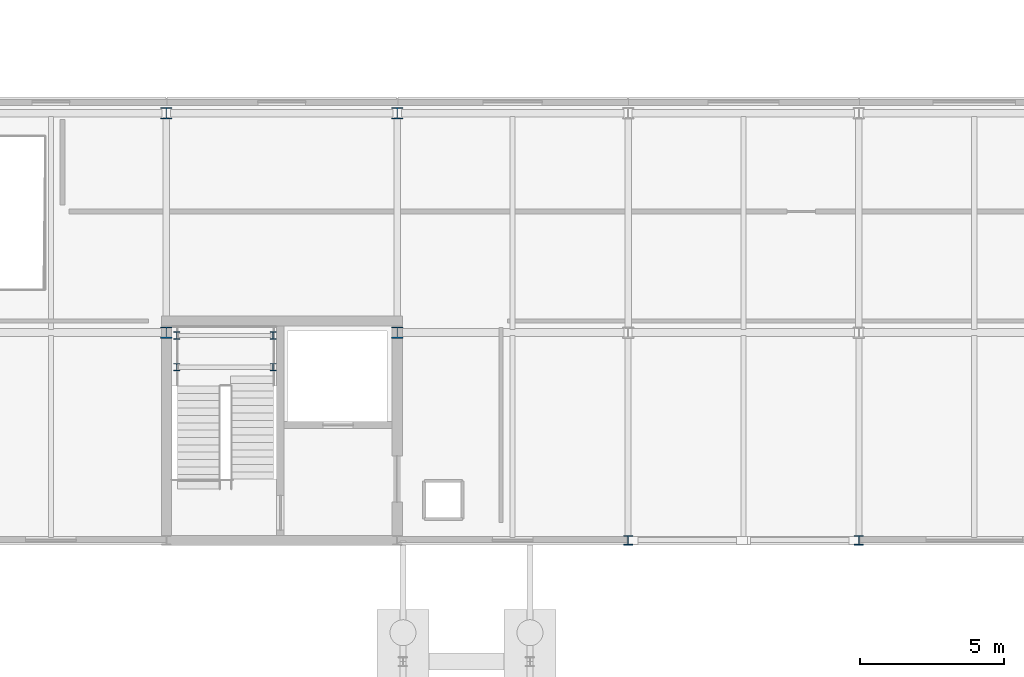
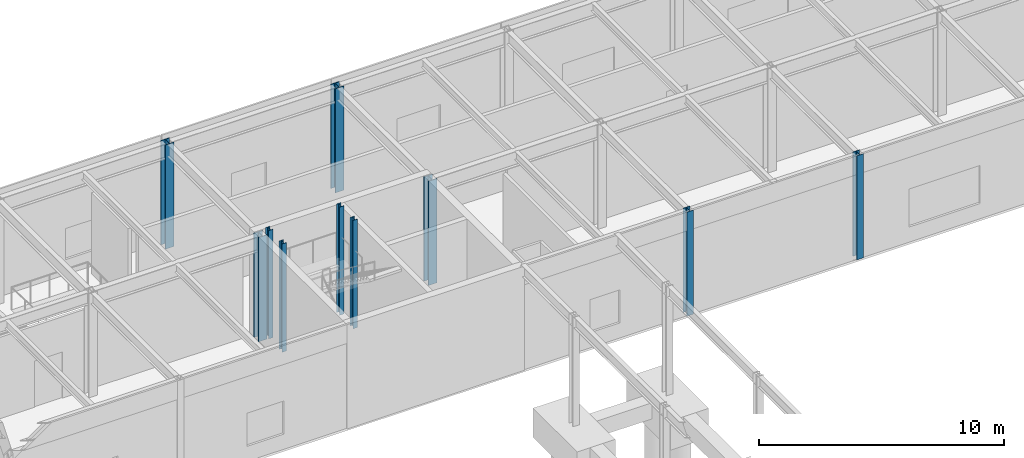
# One storey, part 13 of 62: 10 columns.
"""IFC4 building model written with IfcOpenShell, lengths in metres."""

from ifc_helpers import new_model, si_unit, direction, frame, origin, origin_2d, place, context, subcontext, project, spatial, i_section, extrude, material, material_profile, profile_set, type_object, element, save


model = new_model("IFC4")

# Units and contexts
model_context = context("Model", 3, precision=1e-05, world=origin(), true_north=direction((0.0, 1.0)))
body_context = subcontext(model_context, "Body", "Model", "MODEL_VIEW")
ifc_project = project(units=[si_unit("LENGTHUNIT", "METRE"), si_unit("AREAUNIT", "SQUARE_METRE"), si_unit("VOLUMEUNIT", "CUBIC_METRE"), si_unit("PLANEANGLEUNIT", "RADIAN"), si_unit("MASSUNIT", "GRAM", prefix="KILO")], contexts=[model_context])

# Site, building, storey
site_placement = place(None, origin())
site = spatial("IfcSite", under=ifc_project, at=site_placement, CompositionType="ELEMENT")
building_placement = place(site_placement, origin())
building = spatial("IfcBuilding", under=site, at=building_placement, Name="Zulena Civic Courthouse", CompositionType="ELEMENT")
storey_placement = place(building_placement, origin())
storey = spatial("IfcBuildingStorey", under=building, at=storey_placement, Name="L00", CompositionType="ELEMENT", Elevation=0.0)

# Columns
ifc_material = material(Name="Steel ASTM A992 Grade 50", Category="steel")
ifc_material_profile_1 = material_profile(ifc_material, i_section(OverallWidth=0.2041015625, OverallDepth=0.257080078125, WebThickness=0.0087890625, FlangeThickness=0.015625, FilletRadius=0.0126953125, at=origin_2d()), Name="W10X45")
ifc_profile_set_1 = profile_set([ifc_material_profile_1], Name="Steel ASTM A992 Grade 50")
column_type_1 = type_object("IfcColumnType", Name="Col_W10X45", PredefinedType="COLUMN", material=ifc_profile_set_1)
for number, where, z_axis, x_axis, name in (
    (1, (20.360107421875, 52.0, 0.0), (0.0, 0.0, 1.0), (1.0, 0.0, 0.0), "col:lnd:K5A:L00:0:0"),
    (2, (23.699951171875, 52.0, 0.0), (0.0, 0.0, 1.0), (1.0, 0.0, 0.0), "col:lnd:K5A:L00:0:1"),
    (3, (20.360107421875, 53.10009765625, 0.0), (0.0, 0.0, 1.0), (1.0, 0.0, 0.0), "col:lnd:K5A:L00:1:0"),
    (4, (23.699951171875, 53.10009765625, 0.0), (0.0, 0.0, 1.0), (1.0, 0.0, 0.0), "col:lnd:K5A:L00:1:1"),
):
    element("IfcColumn", number, at=place(storey_placement, frame(where, z_axis=z_axis, x_axis=x_axis)), inside=storey, type_object=column_type_1, Name=name, PredefinedType="COLUMN", context=body_context, shape_type="SweptSolid", body=[
        extrude(i_section(OverallWidth=0.2041015625, OverallDepth=0.257080078125, WebThickness=0.0087890625, FlangeThickness=0.015625, FilletRadius=0.0126953125, at=origin_2d()), origin(), (0.0, 0.0, 1.0), 5.39501953125),
    ])
ifc_material_profile_2 = material_profile(ifc_material, i_section(OverallWidth=0.31298828125, OverallDepth=0.3330078125, WebThickness=0.01806640625, FlangeThickness=0.0283203125, FilletRadius=0.01513671875, at=origin_2d()), Name="W12X120")
ifc_profile_set_2 = profile_set([ifc_material_profile_2], Name="Steel ASTM A992 Grade 50")
column_type_2 = type_object("IfcColumnType", Name="Col_W12X120", PredefinedType="COLUMN", material=ifc_profile_set_2)
for number, where, z_axis, x_axis, name in (
    (5, (36.0, 46.0, 0.0), (0.0, 0.0, 1.0), (1.0, 0.0, 0.0), "col:V5:L00:36.0:46.0"),
    (6, (44.0, 46.0, 0.0), (0.0, 0.0, 1.0), (1.0, 0.0, 0.0), "col:V5:L00:44.0:46.0"),
):
    element("IfcColumn", number, at=place(storey_placement, frame(where, z_axis=z_axis, x_axis=x_axis)), inside=storey, type_object=column_type_2, Name=name, PredefinedType="COLUMN", context=body_context, shape_type="SweptSolid", body=[
        extrude(i_section(OverallWidth=0.31298828125, OverallDepth=0.3330078125, WebThickness=0.01806640625, FlangeThickness=0.0283203125, FilletRadius=0.01513671875, at=origin_2d()), origin(), (0.0, 0.0, 1.0), 5.18505859375),
    ])
ifc_material_profile_3 = material_profile(ifc_material, i_section(OverallWidth=0.40087890625, OverallDepth=0.39892578125, WebThickness=0.02490234375, FlangeThickness=0.03955078125, FilletRadius=0.01513671875, at=origin_2d()), Name="W14X211")
ifc_profile_set_3 = profile_set([ifc_material_profile_3], Name="Steel ASTM A992 Grade 50")
column_type_3 = type_object("IfcColumnType", Name="Col_W14X211", PredefinedType="COLUMN", material=ifc_profile_set_3)
for number, where, z_axis, x_axis, name in (
    (7, (20.0, 53.199951171875, 0.0), (0.0, 0.0, 1.0), (1.0, 0.0, 0.0), "col:V5:L00:20.0:53.2"),
    (8, (20.0, 60.800048828125, 0.0), (0.0, 0.0, 1.0), (1.0, 0.0, 0.0), "col:V5:L00:20.0:60.8"),
    (9, (28.0, 53.199951171875, 0.0), (0.0, 0.0, 1.0), (1.0, 0.0, 0.0), "col:V5:L00:28.0:53.2"),
    (10, (28.0, 60.800048828125, 0.0), (0.0, 0.0, 1.0), (1.0, 0.0, 0.0), "col:V5:L00:28.0:60.8"),
):
    element("IfcColumn", number, at=place(storey_placement, frame(where, z_axis=z_axis, x_axis=x_axis)), inside=storey, type_object=column_type_3, Name=name, PredefinedType="COLUMN", context=body_context, shape_type="SweptSolid", body=[
        extrude(i_section(OverallWidth=0.40087890625, OverallDepth=0.39892578125, WebThickness=0.02490234375, FlangeThickness=0.03955078125, FilletRadius=0.01513671875, at=origin_2d()), origin(), (0.0, 0.0, 1.0), 5.18505859375),
    ])

save(model, "model.ifc")
